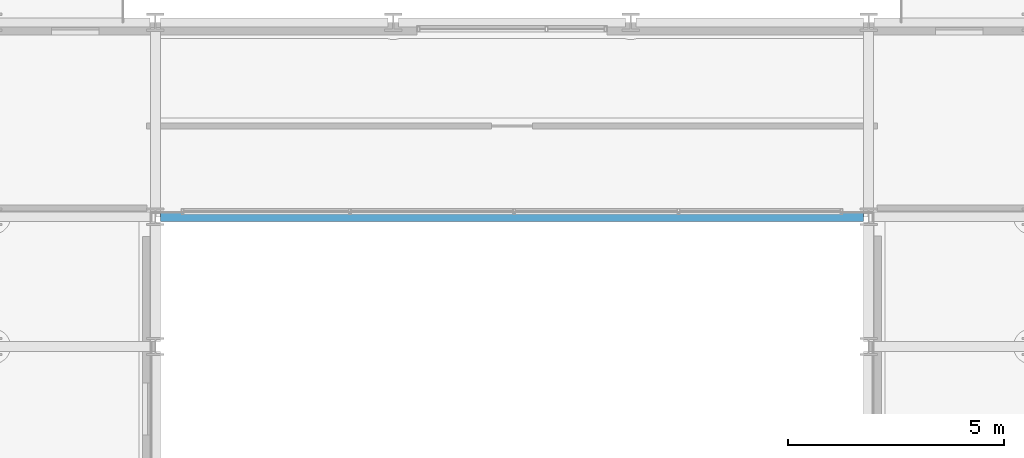
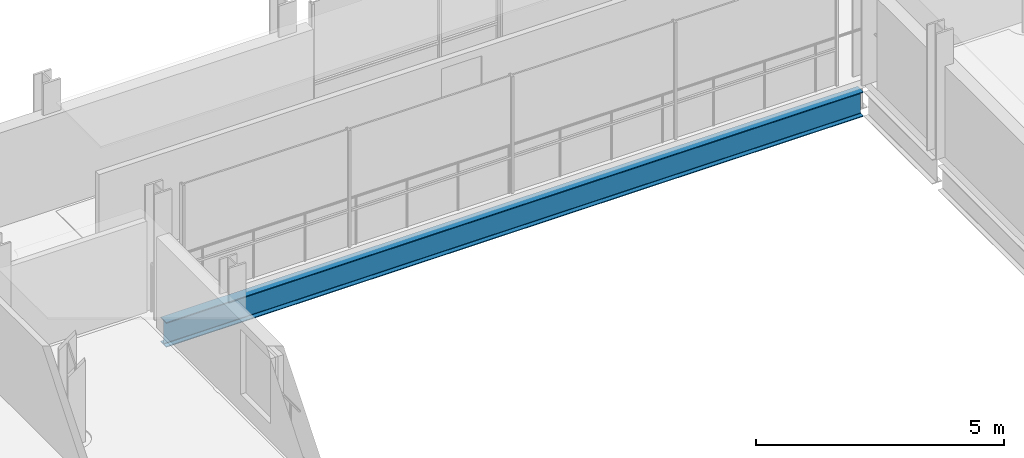
# One storey, part 12 of 39: 1 beam.
"""IFC4 building model written with IfcOpenShell, lengths in metres."""

from ifc_helpers import new_model, si_unit, direction, frame, origin, origin_2d, place, context, subcontext, project, spatial, i_section, extrude, material, material_profile, profile_set, type_object, element, save


model = new_model("IFC4")

# Units and contexts
model_context = context("Model", 3, precision=1e-05, world=origin(), true_north=direction((0.0, 1.0)))
body_context = subcontext(model_context, "Body", "Model", "MODEL_VIEW")
ifc_project = project(units=[si_unit("LENGTHUNIT", "METRE"), si_unit("AREAUNIT", "SQUARE_METRE"), si_unit("VOLUMEUNIT", "CUBIC_METRE"), si_unit("PLANEANGLEUNIT", "RADIAN"), si_unit("MASSUNIT", "GRAM", prefix="KILO")], contexts=[model_context])

# Site, building, storey
site_placement = place(None, origin())
site = spatial("IfcSite", under=ifc_project, at=site_placement, CompositionType="ELEMENT")
building_placement = place(site_placement, origin())
building = spatial("IfcBuilding", under=site, at=building_placement, Name="Brevholm Reach", CompositionType="ELEMENT")
storey_placement = place(building_placement, frame((0.0, 0.0, 154.199951171875)))
storey = spatial("IfcBuildingStorey", under=building, at=storey_placement, Name="L46", CompositionType="ELEMENT", Elevation=154.199951171875)

# Beam
ifc_material = material(Name="Structural Steel S355J2", Category="steel")
ifc_material_profile = material_profile(ifc_material, i_section(OverallWidth=0.22900390625, OverallDepth=0.6123046875, WebThickness=0.011962890625, FlangeThickness=0.01953125, FilletRadius=0.0126953125, at=origin_2d()), Name="UKB 610x229x125")
ifc_profile_set = profile_set([ifc_material_profile], Name="Structural Steel S355J2")
beam_type = type_object("IfcBeamType", Name="BM-SP610", PredefinedType="SPANDREL", material=ifc_profile_set)
beam_placement = place(storey_placement, frame((21.8701171875, 26.5, -0.526123046875), z_axis=(1.0, 0.0, 0.0), x_axis=(0.0, 1.0, 0.0)))
element("IfcBeam", 1, at=beam_placement, inside=storey, type_object=beam_type, Name="L46 SP-01 Framing Beam", PredefinedType="SPANDREL", context=body_context, shape_type="SweptSolid", body=[
    extrude(i_section(OverallWidth=0.22900390625, OverallDepth=0.6123046875, WebThickness=0.011962890625, FlangeThickness=0.01953125, FilletRadius=0.0126953125, at=origin_2d()), origin(), (0.0, 0.0, 1.0), 16.259765625),
])

save(model, "model.ifc")
